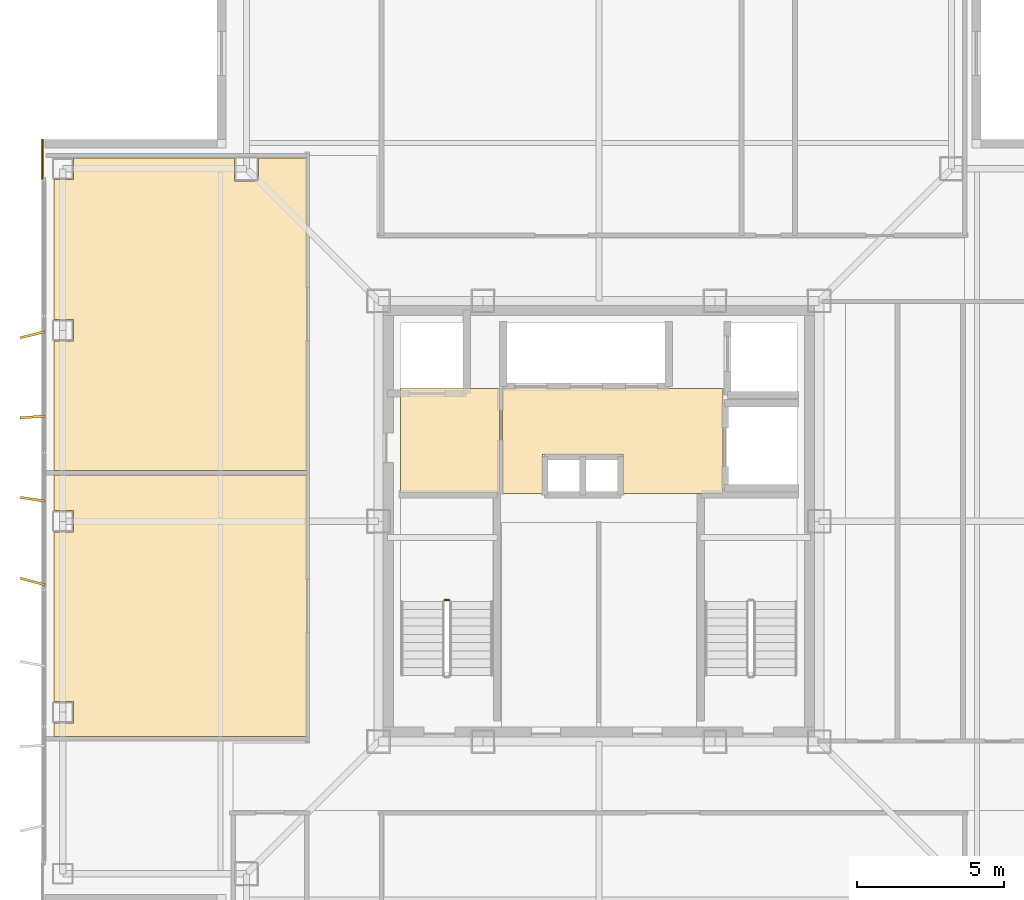
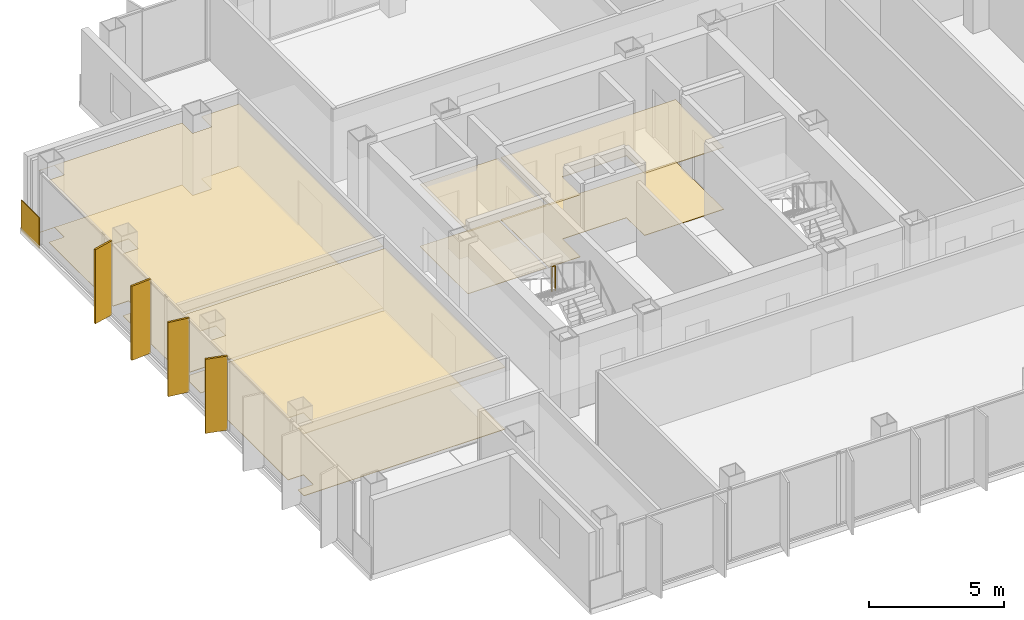
# One storey, part 12 of 15: 9 coverings, 4 shading devices, 1 railing.
"""IFC4 building model written with IfcOpenShell, lengths in metres."""

from ifc_helpers import new_model, si_unit, direction, frame, frame_2d, origin, origin_2d, place, context, subcontext, project, spatial, polyline, rectangle, circle, outline, extrude, material, layer, layer_set, type_object, element, save


model = new_model("IFC4")

# Units and contexts
model_context = context("Model", 3, precision=1e-05, world=origin(), true_north=direction((0.0, 1.0)))
body_context = subcontext(model_context, "Body", "Model", "MODEL_VIEW")
ifc_project = project(units=[si_unit("LENGTHUNIT", "METRE"), si_unit("AREAUNIT", "SQUARE_METRE"), si_unit("VOLUMEUNIT", "CUBIC_METRE"), si_unit("PLANEANGLEUNIT", "RADIAN"), si_unit("MASSUNIT", "GRAM", prefix="KILO")], contexts=[model_context])

# Site, building, storey
site_placement = place(None, origin())
site = spatial("IfcSite", under=ifc_project, at=site_placement, CompositionType="ELEMENT")
building_placement = place(site_placement, origin())
building = spatial("IfcBuilding", under=site, at=building_placement, Name="Trevonay Congress Spire", CompositionType="ELEMENT")
storey_placement = place(building_placement, frame((0.0, 0.0, 261.199951171875)))
storey = spatial("IfcBuildingStorey", under=building, at=storey_placement, Name="L68", CompositionType="ELEMENT", Elevation=261.199951171875)

# Coverings
ifc_material_1 = material(Name="Acoustic Mineral Fibre Board", Category="gypsum")
ifc_layer_1 = layer(ifc_material_1, 0.02490234375, Name="Acoustic Mineral Fibre Board")
ifc_layer_set_1 = layer_set([ifc_layer_1], Name="Acoustic Mineral Fibre Board")
covering_type_1 = type_object("IfcCoveringType", Name="COV-CEIL-ACOUSTIC", PredefinedType="CEILING", material=ifc_layer_set_1)
covering_1_placement = place(storey_placement, frame((0.0, 0.0, 2.81005859375)))
element("IfcCovering", 1, at=covering_1_placement, inside=storey, type_object=covering_type_1, Name="L68 Firefighting Lift Lobby West acoustic suspended ceiling", PredefinedType="CEILING", context=body_context, shape_type="SweptSolid", body=[
    extrude(outline(polyline([(-6.75, 0.9599609375), (-3.3798828125, 0.9599609375), (-3.3798828125, 4.52001953125), (-6.75, 4.52001953125), (-6.75, 0.9599609375)])), origin(), (0.0, 0.0, 1.0), 0.02490234375),
])
covering_2_placement = place(storey_placement, frame((0.0, 0.0, 2.81005859375)))
element("IfcCovering", 2, at=covering_2_placement, inside=storey, type_object=covering_type_1, Name="L68 Central and High-Rise Passenger Lift Lobby acoustic suspended ceiling", PredefinedType="CEILING", context=body_context, shape_type="SweptSolid", body=[
    extrude(outline(polyline([(-3.280029296875, 0.949951171875), (-1.919921875, 0.949951171875), (-1.919921875, 2.280029296875), (0.820068359375, 2.280029296875), (0.820068359375, 0.949951171875), (4.219970703125, 0.949951171875), (4.219970703125, 4.52001953125), (-3.280029296875, 4.52001953125), (-3.280029296875, 0.949951171875)])), origin(), (0.0, 0.0, 1.0), 0.02490234375),
])
covering_3_placement = place(storey_placement, frame((0.0, 0.0, 2.81005859375)))
element("IfcCovering", 3, at=covering_3_placement, inside=storey, type_object=covering_type_1, Name="L68 State Culinary Hot Kitchen acoustic suspended ceiling", PredefinedType="CEILING", context=body_context, shape_type="SweptSolid", body=[
    extrude(outline(polyline([(-18.550048828125, 1.570068359375), (-9.929931640625, 1.570068359375), (-9.929931640625, -7.320068359375), (-18.550048828125, -7.320068359375), (-18.550048828125, -6.860107421875), (-17.889892578125, -6.860107421875), (-17.889892578125, -6.139892578125), (-18.550048828125, -6.139892578125), (-18.550048828125, -0.360107421875), (-17.889892578125, -0.360107421875), (-17.889892578125, 0.360107421875), (-18.550048828125, 0.360107421875), (-18.550048828125, 1.570068359375)])), origin(), (0.0, 0.0, 1.0), 0.02490234375),
])
covering_4_placement = place(storey_placement, frame((0.0, 0.0, 2.81005859375)))
element("IfcCovering", 4, at=covering_4_placement, inside=storey, type_object=covering_type_1, Name="L68 Cold Larder and Bakery Kitchen acoustic suspended ceiling", PredefinedType="CEILING", context=body_context, shape_type="SweptSolid", body=[
    extrude(outline(polyline([(-9.929931640625, 12.3701171875), (-9.929931640625, 1.72998046875), (-18.550048828125, 1.72998046875), (-18.550048828125, 6.139892578125), (-17.889892578125, 6.139892578125), (-17.889892578125, 6.860107421875), (-18.550048828125, 6.860107421875), (-18.550048828125, 11.639892578125), (-17.889892578125, 11.639892578125), (-17.889892578125, 12.360107421875), (-18.550048828125, 12.360107421875), (-18.550048828125, 12.3701171875), (-12.409912109375, 12.3701171875), (-12.409912109375, 11.590087890625), (-11.590087890625, 11.590087890625), (-11.590087890625, 12.3701171875), (-9.929931640625, 12.3701171875)])), origin(), (0.0, 0.0, 1.0), 0.02490234375),
])
ifc_material_2 = material(Name="Polished Granite Floor Tile", Category="masonry")
ifc_layer_2 = layer(ifc_material_2, 0.02001953125, Name="Polished Granite Floor Tile")
ifc_layer_set_2 = layer_set([ifc_layer_2], Name="Polished Granite Floor Tile")
covering_type_2 = type_object("IfcCoveringType", Name="COV-FLOOR-STONE", PredefinedType="FLOORING", material=ifc_layer_set_2)
covering_5_placement = place(storey_placement, origin())
element("IfcCovering", 5, at=covering_5_placement, inside=storey, type_object=covering_type_2, Name="L68 Firefighting Lift Lobby West floor finish", PredefinedType="FLOORING", context=body_context, shape_type="SweptSolid", body=[
    extrude(outline(polyline([(-6.75, 0.9599609375), (-3.3798828125, 0.9599609375), (-3.3798828125, 4.52001953125), (-6.75, 4.52001953125), (-6.75, 0.9599609375)])), origin(), (0.0, 0.0, 1.0), 0.02001953125),
])
covering_6_placement = place(storey_placement, origin())
element("IfcCovering", 6, at=covering_6_placement, inside=storey, type_object=covering_type_2, Name="L68 Central and High-Rise Passenger Lift Lobby floor finish", PredefinedType="FLOORING", context=body_context, shape_type="SweptSolid", body=[
    extrude(outline(polyline([(-3.280029296875, 0.949951171875), (-1.919921875, 0.949951171875), (-1.919921875, 2.280029296875), (0.820068359375, 2.280029296875), (0.820068359375, 0.949951171875), (4.219970703125, 0.949951171875), (4.219970703125, 4.52001953125), (-3.280029296875, 4.52001953125), (-3.280029296875, 0.949951171875)])), origin(), (0.0, 0.0, 1.0), 0.02001953125),
])
covering_7_placement = place(storey_placement, origin())
element("IfcCovering", 7, at=covering_7_placement, inside=storey, type_object=covering_type_2, Name="L68 State Culinary Hot Kitchen floor finish", PredefinedType="FLOORING", context=body_context, shape_type="SweptSolid", body=[
    extrude(outline(polyline([(-18.550048828125, 1.570068359375), (-9.929931640625, 1.570068359375), (-9.929931640625, -7.320068359375), (-18.550048828125, -7.320068359375), (-18.550048828125, -6.860107421875), (-17.889892578125, -6.860107421875), (-17.889892578125, -6.139892578125), (-18.550048828125, -6.139892578125), (-18.550048828125, -0.360107421875), (-17.889892578125, -0.360107421875), (-17.889892578125, 0.360107421875), (-18.550048828125, 0.360107421875), (-18.550048828125, 1.570068359375)])), origin(), (0.0, 0.0, 1.0), 0.02001953125),
])
covering_8_placement = place(storey_placement, origin())
element("IfcCovering", 8, at=covering_8_placement, inside=storey, type_object=covering_type_2, Name="L68 Cold Larder and Bakery Kitchen floor finish", PredefinedType="FLOORING", context=body_context, shape_type="SweptSolid", body=[
    extrude(outline(polyline([(-9.929931640625, 12.3701171875), (-9.929931640625, 1.72998046875), (-18.550048828125, 1.72998046875), (-18.550048828125, 6.139892578125), (-17.889892578125, 6.139892578125), (-17.889892578125, 6.860107421875), (-18.550048828125, 6.860107421875), (-18.550048828125, 11.639892578125), (-17.889892578125, 11.639892578125), (-17.889892578125, 12.360107421875), (-18.550048828125, 12.360107421875), (-18.550048828125, 12.3701171875), (-12.409912109375, 12.3701171875), (-12.409912109375, 11.590087890625), (-11.590087890625, 11.590087890625), (-11.590087890625, 12.3701171875), (-9.929931640625, 12.3701171875)])), origin(), (0.0, 0.0, 1.0), 0.02001953125),
])
ifc_material_3 = material(Name="Pale Anodised Aluminium EN AW-6063-T6", Category="aluminium")
ifc_layer_3 = layer(ifc_material_3, 0.0400390625, Name="Pale Anodised Aluminium EN AW-6063-T6")
ifc_layer_set_3 = layer_set([ifc_layer_3], Name="Pale Anodised Aluminium EN AW-6063-T6")
covering_type_3 = type_object("IfcCoveringType", Name="COV-SPANDREL-PALE-METAL", PredefinedType="CLADDING", material=ifc_layer_set_3)
covering_9_placement = place(storey_placement, frame((-18.93994140625, 11.64990234375, -0.14990234375), z_axis=(0.0, 0.0, 1.0), x_axis=(0.0, 1.0, 0.0)))
element("IfcCovering", 9, at=covering_9_placement, inside=storey, type_object=covering_type_3, Name="L68 NW corner pier spandrel cladding 1", PredefinedType="CLADDING", context=body_context, shape_type="SweptSolid", body=[
    extrude(rectangle(XDim=1.35009765625, YDim=0.0400390625, at=frame_2d((0.675048828125, 0.0))), origin(), (0.0, 0.0, 1.0), 1.39990234375),
])

# Railing
railing_type = type_object("IfcRailingType", Name="RAL-STAIR-GUARD-110", PredefinedType="GUARDRAIL", material=ifc_material_3)
railing_placement = place(storey_placement, frame((-5.10009765625, -2.679931640625, 1.800048828125)))
element("IfcRailing", 10, at=railing_placement, inside=storey, type_object=railing_type, Name="L68 ST-1 stair guard 2", PredefinedType="GUARDRAIL", context=body_context, shape_type="SweptSolid", body=[
    extrude(circle(Radius=0.02392578125, at=origin_2d()), frame((0.0, 0.0, 1.1259765625), z_axis=(-1.0, 0.0, 0.0), x_axis=(0.0, -1.0, 0.0)), (0.0, 0.0, 1.0), 0.14990234375),
    extrude(circle(Radius=0.02099609375, at=origin_2d()), origin(), (0.0, 0.0, 1.0), 1.101806640625),
    extrude(circle(Radius=0.02099609375, at=origin_2d()), frame((-0.14990234375, 0.0, 0.0)), (0.0, 0.0, 1.0), 1.101806640625),
])

# Shading devices
shading_device_type = type_object("IfcShadingDeviceType", Name="SHD-FIN-Z4-PALE-METAL", PredefinedType="USERDEFINED", material=ifc_material_3)
for number, where, z_axis, x_axis, name in (
    (11, (-19.280029296875, -2.050048828125, 0.0), (0.0, 0.0, 1.0), (0.258144638645, 0.966106280664, 0.0), "L68 W vertical pale-metal solar fin 4"),
    (12, (-19.280029296875, 0.75, 0.0), (0.0, 0.0, 1.0), (0.146946275799, 0.989144474801, 0.0), "L68 W vertical pale-metal solar fin 5"),
    (13, (-19.280029296875, 3.550048828125, 0.0), (0.0, 0.0, 1.0), (-0.077067060513, 0.997025911491, 0.0), "L68 W vertical pale-metal solar fin 6"),
    (14, (-19.280029296875, 6.35009765625, 0.0), (0.0, 0.0, 1.0), (-0.241244442494, 0.970464383152, 0.0), "L68 W vertical pale-metal solar fin 7"),
):
    element("IfcShadingDevice", number, at=place(storey_placement, frame(where, z_axis=z_axis, x_axis=x_axis)), inside=storey, type_object=shading_device_type, Name=name, ObjectType="SOLAR FIN", PredefinedType="USERDEFINED", context=body_context, shape_type="SweptSolid", body=[
        extrude(rectangle(XDim=0.080078125, YDim=0.85009765625, at=origin_2d()), origin(), (0.0, 0.0, 1.0), 3.360107421875),
    ])

save(model, "model.ifc")
